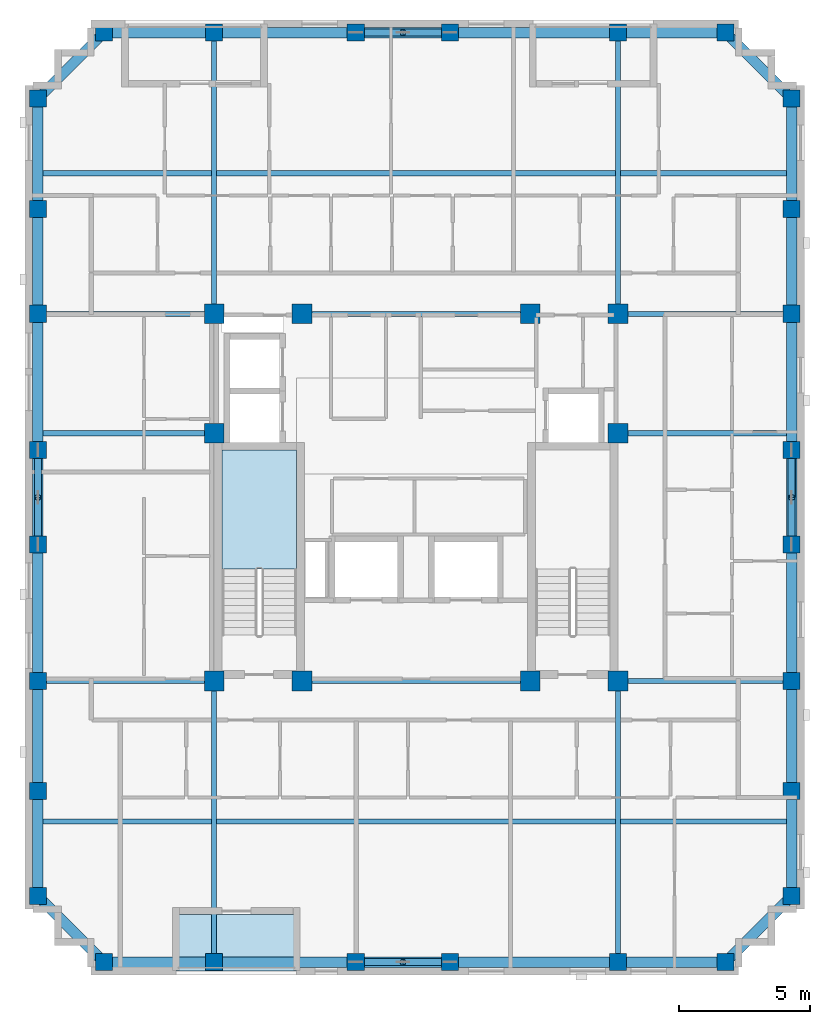
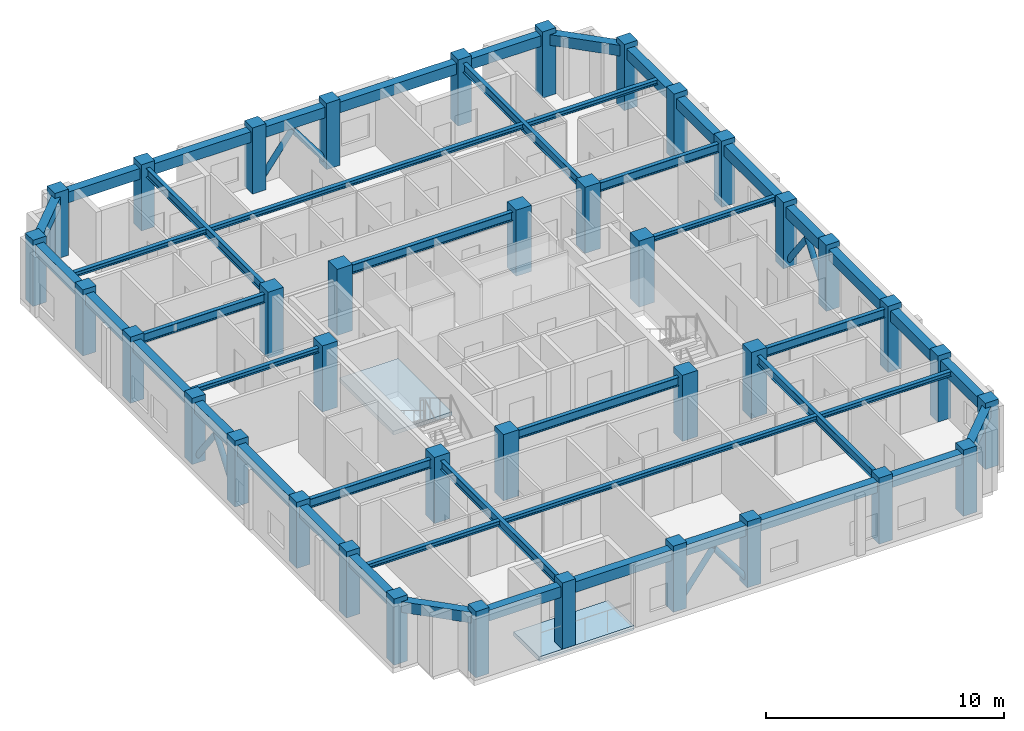
# One storey, part 1 of 11: 46 beams, 38 columns, 8 members, 2 slabs, 1 element without a shape of its own.
"""IFC4 building model written with IfcOpenShell, lengths in metres."""

from ifc_helpers import new_model, si_unit, derived_unit, direction, frame, origin, origin_2d, place, context, subcontext, project, spatial, polyline, rectangle, hollow_circle, i_section, outline, extrude, material, layer, layer_set, material_profile, profile_set, type_object, element, aggregate, save


model = new_model("IFC4")

# Units and contexts
model_context = context("Model", 3, precision=1e-05, world=origin(), true_north=direction((0.0, 1.0)))
body_context = subcontext(model_context, "Body", "Model", "MODEL_VIEW")
ifc_project = project(units=[si_unit("LENGTHUNIT", "METRE"), si_unit("AREAUNIT", "SQUARE_METRE"), si_unit("VOLUMEUNIT", "CUBIC_METRE"), si_unit("PLANEANGLEUNIT", "RADIAN"), si_unit("MASSUNIT", "GRAM", prefix="KILO"), derived_unit("THERMALTRANSMITTANCEUNIT", [(si_unit("MASSUNIT", "GRAM", prefix="KILO"), 1), (si_unit("TIMEUNIT", "SECOND"), -3), (si_unit("THERMODYNAMICTEMPERATUREUNIT", "KELVIN"), -1)])], contexts=[model_context])

# Site, building, storey
site_placement = place(None, origin())
site = spatial("IfcSite", under=ifc_project, at=site_placement, CompositionType="ELEMENT")
building_placement = place(site_placement, origin())
building = spatial("IfcBuilding", under=site, at=building_placement, Name="Korrvale Station Residences", CompositionType="ELEMENT")
storey_placement = place(building_placement, frame((0.0, 0.0, 254.699951171875)))
storey = spatial("IfcBuildingStorey", under=building, at=storey_placement, Name="L74", CompositionType="ELEMENT", Elevation=254.699951171875)

# Columns
ifc_material_1 = material(Name="Concrete C50/60", Category="concrete")
ifc_material_profile_1 = material_profile(ifc_material_1, rectangle(XDim=0.64990234375, YDim=0.64990234375, at=origin_2d()), Name="RC650x650")
ifc_profile_set_1 = profile_set([ifc_material_profile_1], Name="Concrete C50/60")
column_type_1 = type_object("IfcColumnType", Name="COL-C-RC650x650-C5060", PredefinedType="COLUMN", material=ifc_profile_set_1)
for number, where, z_axis, x_axis, name in (
    (1, (13.60009765625, 4.280029296875, 0.0), (0.0, 0.0, 1.0), (1.0, 0.0, 0.0), "L74 Bundled-Tube South Column 01"),
    (2, (17.800048828125, 4.280029296875, 0.0), (0.0, 0.0, 1.0), (1.0, 0.0, 0.0), "L74 Bundled-Tube South Column 02"),
    (3, (23.199951171875, 4.280029296875, 0.0), (0.0, 0.0, 1.0), (1.0, 0.0, 0.0), "L74 Bundled-Tube South Column 03"),
    (4, (26.800048828125, 4.280029296875, 0.0), (0.0, 0.0, 1.0), (1.0, 0.0, 0.0), "L74 Bundled-Tube South Column 04"),
    (5, (33.199951171875, 4.280029296875, 0.0), (0.0, 0.0, 1.0), (1.0, 0.0, 0.0), "L74 Bundled-Tube South Column 05"),
    (6, (37.300048828125, 4.280029296875, 0.0), (0.0, 0.0, 1.0), (1.0, 0.0, 0.0), "L74 Bundled-Tube South Column 06"),
    (7, (13.60009765625, 39.719970703125, 0.0), (0.0, 0.0, 1.0), (1.0, 0.0, 0.0), "L74 Bundled-Tube North Column 07"),
    (8, (17.800048828125, 39.719970703125, 0.0), (0.0, 0.0, 1.0), (1.0, 0.0, 0.0), "L74 Bundled-Tube North Column 08"),
    (9, (23.199951171875, 39.719970703125, 0.0), (0.0, 0.0, 1.0), (1.0, 0.0, 0.0), "L74 Bundled-Tube North Column 09"),
    (10, (26.800048828125, 39.719970703125, 0.0), (0.0, 0.0, 1.0), (1.0, 0.0, 0.0), "L74 Bundled-Tube North Column 10"),
    (11, (33.199951171875, 39.719970703125, 0.0), (0.0, 0.0, 1.0), (1.0, 0.0, 0.0), "L74 Bundled-Tube North Column 11"),
    (12, (37.300048828125, 39.719970703125, 0.0), (0.0, 0.0, 1.0), (1.0, 0.0, 0.0), "L74 Bundled-Tube North Column 12"),
    (13, (11.080078125, 6.800048828125, 0.0), (0.0, 0.0, 1.0), (1.0, 0.0, 0.0), "L74 Bundled-Tube West Column 13"),
    (14, (11.080078125, 10.800048828125, 0.0), (0.0, 0.0, 1.0), (1.0, 0.0, 0.0), "L74 Bundled-Tube West Column 14"),
    (15, (11.080078125, 15.0, 0.0), (0.0, 0.0, 1.0), (1.0, 0.0, 0.0), "L74 Bundled-Tube West Column 15"),
    (16, (11.080078125, 20.199951171875, 0.0), (0.0, 0.0, 1.0), (1.0, 0.0, 0.0), "L74 Bundled-Tube West Column 16"),
    (17, (11.080078125, 23.800048828125, 0.0), (0.0, 0.0, 1.0), (1.0, 0.0, 0.0), "L74 Bundled-Tube West Column 17"),
    (18, (11.080078125, 29.0, 0.0), (0.0, 0.0, 1.0), (1.0, 0.0, 0.0), "L74 Bundled-Tube West Column 18"),
    (19, (11.080078125, 33.0, 0.0), (0.0, 0.0, 1.0), (1.0, 0.0, 0.0), "L74 Bundled-Tube West Column 19"),
    (20, (11.080078125, 37.199951171875, 0.0), (0.0, 0.0, 1.0), (1.0, 0.0, 0.0), "L74 Bundled-Tube West Column 20"),
    (21, (39.820068359375, 6.800048828125, 0.0), (0.0, 0.0, 1.0), (1.0, 0.0, 0.0), "L74 Bundled-Tube East Column 21"),
    (22, (39.820068359375, 10.800048828125, 0.0), (0.0, 0.0, 1.0), (1.0, 0.0, 0.0), "L74 Bundled-Tube East Column 22"),
    (23, (39.820068359375, 15.0, 0.0), (0.0, 0.0, 1.0), (1.0, 0.0, 0.0), "L74 Bundled-Tube East Column 23"),
    (24, (39.820068359375, 20.199951171875, 0.0), (0.0, 0.0, 1.0), (1.0, 0.0, 0.0), "L74 Bundled-Tube East Column 24"),
    (25, (39.820068359375, 23.800048828125, 0.0), (0.0, 0.0, 1.0), (1.0, 0.0, 0.0), "L74 Bundled-Tube East Column 25"),
    (26, (39.820068359375, 29.0, 0.0), (0.0, 0.0, 1.0), (1.0, 0.0, 0.0), "L74 Bundled-Tube East Column 26"),
    (27, (39.820068359375, 33.0, 0.0), (0.0, 0.0, 1.0), (1.0, 0.0, 0.0), "L74 Bundled-Tube East Column 27"),
    (28, (39.820068359375, 37.199951171875, 0.0), (0.0, 0.0, 1.0), (1.0, 0.0, 0.0), "L74 Bundled-Tube East Column 28"),
):
    element("IfcColumn", number, at=place(storey_placement, frame(where, z_axis=z_axis, x_axis=x_axis)), inside=storey, type_object=column_type_1, Name=name, PredefinedType="COLUMN", context=body_context, shape_type="SweptSolid", body=[
        extrude(rectangle(XDim=0.64990234375, YDim=0.64990234375, at=origin_2d()), origin(), (0.0, 0.0, 1.0), 3.400146484375),
    ])
ifc_material_profile_2 = material_profile(ifc_material_1, rectangle(XDim=0.75, YDim=0.75, at=origin_2d()), Name="RC750x750")
ifc_profile_set_2 = profile_set([ifc_material_profile_2], Name="Concrete C50/60")
column_type_2 = type_object("IfcColumnType", Name="COL-C-RC750x750-C5060", PredefinedType="COLUMN", material=ifc_profile_set_2)
for number, where, z_axis, x_axis, name in (
    (29, (17.800048828125, 15.0, 0.0), (0.0, 0.0, 1.0), (1.0, 0.0, 0.0), "L74 Core Column 01"),
    (30, (21.14990234375, 15.0, 0.0), (0.0, 0.0, 1.0), (1.0, 0.0, 0.0), "L74 Core Column 02"),
    (31, (29.85009765625, 15.0, 0.0), (0.0, 0.0, 1.0), (1.0, 0.0, 0.0), "L74 Core Column 03"),
    (32, (33.199951171875, 15.0, 0.0), (0.0, 0.0, 1.0), (1.0, 0.0, 0.0), "L74 Core Column 04"),
    (33, (17.800048828125, 29.0, 0.0), (0.0, 0.0, 1.0), (1.0, 0.0, 0.0), "L74 Core Column 05"),
    (34, (21.14990234375, 29.0, 0.0), (0.0, 0.0, 1.0), (1.0, 0.0, 0.0), "L74 Core Column 06"),
    (35, (29.85009765625, 29.0, 0.0), (0.0, 0.0, 1.0), (1.0, 0.0, 0.0), "L74 Core Column 07"),
    (36, (33.199951171875, 29.0, 0.0), (0.0, 0.0, 1.0), (1.0, 0.0, 0.0), "L74 Core Column 08"),
    (37, (17.800048828125, 24.449951171875, 0.0), (0.0, 0.0, 1.0), (1.0, 0.0, 0.0), "L74 Core Column 09"),
    (38, (33.199951171875, 24.449951171875, 0.0), (0.0, 0.0, 1.0), (1.0, 0.0, 0.0), "L74 Core Column 10"),
):
    element("IfcColumn", number, at=place(storey_placement, frame(where, z_axis=z_axis, x_axis=x_axis)), inside=storey, type_object=column_type_2, Name=name, PredefinedType="COLUMN", context=body_context, shape_type="SweptSolid", body=[
        extrude(rectangle(XDim=0.75, YDim=0.75, at=origin_2d()), origin(), (0.0, 0.0, 1.0), 3.400146484375),
    ])

# Beams
ifc_material_2 = material(Name="Steel S355", Category="steel")
ifc_material_profile_3 = material_profile(ifc_material_2, i_section(OverallWidth=0.18994140625, OverallDepth=0.45703125, WebThickness=0.009033203125, FlangeThickness=0.014404296875, FilletRadius=0.01611328125, at=origin_2d()), Name="W460x74")
ifc_profile_set_3 = profile_set([ifc_material_profile_3], Name="Steel S355")
beam_type_1 = type_object("IfcBeamType", Name="BM-BM-W460x74-S355", PredefinedType="BEAM", material=ifc_profile_set_3)
for number, where, z_axis, x_axis, name in (
    (39, (17.800048828125, 4.280029296875, 2.91162109375), (0.0, 1.0, 0.0), (-1.0, 0.0, 0.0), "L74 Bundled-Tube Web Girder 01"),
    (40, (33.199951171875, 4.280029296875, 2.91162109375), (0.0, 1.0, 0.0), (-1.0, 0.0, 0.0), "L74 Bundled-Tube Web Girder 02"),
    (41, (17.800048828125, 29.0, 2.91162109375), (0.0, 1.0, 0.0), (-1.0, 0.0, 0.0), "L74 Bundled-Tube Web Girder 03"),
    (42, (33.199951171875, 29.0, 2.91162109375), (0.0, 1.0, 0.0), (-1.0, 0.0, 0.0), "L74 Bundled-Tube Web Girder 04"),
):
    element("IfcBeam", number, at=place(storey_placement, frame(where, z_axis=z_axis, x_axis=x_axis)), inside=storey, type_object=beam_type_1, Name=name, PredefinedType="BEAM", context=body_context, shape_type="SweptSolid", body=[
        extrude(i_section(OverallWidth=0.18994140625, OverallDepth=0.45703125, WebThickness=0.009033203125, FlangeThickness=0.014404296875, FilletRadius=0.01611328125, at=origin_2d()), origin(), (0.0, 0.0, 1.0), 10.719970703125),
    ])
beam_1_placement = place(storey_placement, frame((11.080078125, 15.0, 2.91162109375), z_axis=(1.0, 0.0, 0.0), x_axis=(0.0, 1.0, 0.0)))
element("IfcBeam", 43, at=beam_1_placement, inside=storey, type_object=beam_type_1, Name="L74 Bundled-Tube Web Girder 05", PredefinedType="BEAM", context=body_context, shape_type="SweptSolid", body=[
    extrude(i_section(OverallWidth=0.18994140625, OverallDepth=0.45703125, WebThickness=0.009033203125, FlangeThickness=0.014404296875, FilletRadius=0.01611328125, at=origin_2d()), origin(), (0.0, 0.0, 1.0), 6.719970703125),
])
beam_2_placement = place(storey_placement, frame((33.199951171875, 15.0, 2.91162109375), z_axis=(1.0, 0.0, 0.0), x_axis=(0.0, 1.0, 0.0)))
element("IfcBeam", 44, at=beam_2_placement, inside=storey, type_object=beam_type_1, Name="L74 Bundled-Tube Web Girder 06", PredefinedType="BEAM", context=body_context, shape_type="SweptSolid", body=[
    extrude(i_section(OverallWidth=0.18994140625, OverallDepth=0.45703125, WebThickness=0.009033203125, FlangeThickness=0.014404296875, FilletRadius=0.01611328125, at=origin_2d()), origin(), (0.0, 0.0, 1.0), 6.6201171875),
])
beam_3_placement = place(storey_placement, frame((11.080078125, 29.0, 2.91162109375), z_axis=(1.0, 0.0, 0.0), x_axis=(0.0, 1.0, 0.0)))
element("IfcBeam", 45, at=beam_3_placement, inside=storey, type_object=beam_type_1, Name="L74 Bundled-Tube Web Girder 07", PredefinedType="BEAM", context=body_context, shape_type="SweptSolid", body=[
    extrude(i_section(OverallWidth=0.18994140625, OverallDepth=0.45703125, WebThickness=0.009033203125, FlangeThickness=0.014404296875, FilletRadius=0.01611328125, at=origin_2d()), origin(), (0.0, 0.0, 1.0), 6.719970703125),
])
beam_4_placement = place(storey_placement, frame((33.199951171875, 29.0, 2.91162109375), z_axis=(1.0, 0.0, 0.0), x_axis=(0.0, 1.0, 0.0)))
element("IfcBeam", 46, at=beam_4_placement, inside=storey, type_object=beam_type_1, Name="L74 Bundled-Tube Web Girder 08", PredefinedType="BEAM", context=body_context, shape_type="SweptSolid", body=[
    extrude(i_section(OverallWidth=0.18994140625, OverallDepth=0.45703125, WebThickness=0.009033203125, FlangeThickness=0.014404296875, FilletRadius=0.01611328125, at=origin_2d()), origin(), (0.0, 0.0, 1.0), 6.6201171875),
])
for number, where, z_axis, x_axis, name in (
    (47, (21.14990234375, 15.0, 2.91162109375), (1.0, 0.0, 0.0), (0.0, 1.0, 0.0), "L74 Bundled-Tube Web Girder 09"),
    (48, (21.14990234375, 29.0, 2.91162109375), (1.0, 0.0, 0.0), (0.0, 1.0, 0.0), "L74 Bundled-Tube Web Girder 10"),
):
    element("IfcBeam", number, at=place(storey_placement, frame(where, z_axis=z_axis, x_axis=x_axis)), inside=storey, type_object=beam_type_1, Name=name, PredefinedType="BEAM", context=body_context, shape_type="SweptSolid", body=[
        extrude(i_section(OverallWidth=0.18994140625, OverallDepth=0.45703125, WebThickness=0.009033203125, FlangeThickness=0.014404296875, FilletRadius=0.01611328125, at=origin_2d()), origin(), (0.0, 0.0, 1.0), 8.7001953125),
    ])
ifc_material_profile_4 = material_profile(ifc_material_2, i_section(OverallWidth=0.201904296875, OverallDepth=0.2470703125, WebThickness=0.00732421875, FlangeThickness=0.010986328125, FilletRadius=0.012939453125, at=origin_2d()), Name="W250x49")
ifc_profile_set_4 = profile_set([ifc_material_profile_4], Name="Steel S355")
beam_type_2 = type_object("IfcBeamType", Name="BM-JST-W250x49-S355", PredefinedType="JOIST", material=ifc_profile_set_4)
beam_5_placement = place(storey_placement, frame((11.280029296875, 9.639892578125, 3.0166015625), z_axis=(1.0, 0.0, 0.0), x_axis=(0.0, 1.0, 0.0)))
element("IfcBeam", 49, at=beam_5_placement, inside=storey, type_object=beam_type_2, Name="L74 Floor Framing Joist 01", PredefinedType="JOIST", context=body_context, shape_type="SweptSolid", body=[
    extrude(i_section(OverallWidth=0.201904296875, OverallDepth=0.2470703125, WebThickness=0.00732421875, FlangeThickness=0.010986328125, FilletRadius=0.012939453125, at=origin_2d()), origin(), (0.0, 0.0, 1.0), 6.425048828125),
])
beam_6_placement = place(storey_placement, frame((17.89501953125, 9.639892578125, 3.0166015625), z_axis=(1.0, 0.0, 0.0), x_axis=(0.0, 1.0, 0.0)))
element("IfcBeam", 50, at=beam_6_placement, inside=storey, type_object=beam_type_2, Name="L74 Floor Framing Joist 02", PredefinedType="JOIST", context=body_context, shape_type="SweptSolid", body=[
    extrude(i_section(OverallWidth=0.201904296875, OverallDepth=0.2470703125, WebThickness=0.00732421875, FlangeThickness=0.010986328125, FilletRadius=0.012939453125, at=origin_2d()), origin(), (0.0, 0.0, 1.0), 15.2099609375),
])
beam_7_placement = place(storey_placement, frame((33.294921875, 9.639892578125, 3.0166015625), z_axis=(1.0, 0.0, 0.0), x_axis=(0.0, 1.0, 0.0)))
element("IfcBeam", 51, at=beam_7_placement, inside=storey, type_object=beam_type_2, Name="L74 Floor Framing Joist 03", PredefinedType="JOIST", context=body_context, shape_type="SweptSolid", body=[
    extrude(i_section(OverallWidth=0.201904296875, OverallDepth=0.2470703125, WebThickness=0.00732421875, FlangeThickness=0.010986328125, FilletRadius=0.012939453125, at=origin_2d()), origin(), (0.0, 0.0, 1.0), 6.3251953125),
])
beam_8_placement = place(storey_placement, frame((11.280029296875, 34.360107421875, 3.0166015625), z_axis=(1.0, 0.0, 0.0), x_axis=(0.0, 1.0, 0.0)))
element("IfcBeam", 52, at=beam_8_placement, inside=storey, type_object=beam_type_2, Name="L74 Floor Framing Joist 04", PredefinedType="JOIST", context=body_context, shape_type="SweptSolid", body=[
    extrude(i_section(OverallWidth=0.201904296875, OverallDepth=0.2470703125, WebThickness=0.00732421875, FlangeThickness=0.010986328125, FilletRadius=0.012939453125, at=origin_2d()), origin(), (0.0, 0.0, 1.0), 6.425048828125),
])
beam_9_placement = place(storey_placement, frame((17.89501953125, 34.360107421875, 3.0166015625), z_axis=(1.0, 0.0, 0.0), x_axis=(0.0, 1.0, 0.0)))
element("IfcBeam", 53, at=beam_9_placement, inside=storey, type_object=beam_type_2, Name="L74 Floor Framing Joist 05", PredefinedType="JOIST", context=body_context, shape_type="SweptSolid", body=[
    extrude(i_section(OverallWidth=0.201904296875, OverallDepth=0.2470703125, WebThickness=0.00732421875, FlangeThickness=0.010986328125, FilletRadius=0.012939453125, at=origin_2d()), origin(), (0.0, 0.0, 1.0), 15.2099609375),
])
beam_10_placement = place(storey_placement, frame((33.294921875, 34.360107421875, 3.0166015625), z_axis=(1.0, 0.0, 0.0), x_axis=(0.0, 1.0, 0.0)))
element("IfcBeam", 54, at=beam_10_placement, inside=storey, type_object=beam_type_2, Name="L74 Floor Framing Joist 06", PredefinedType="JOIST", context=body_context, shape_type="SweptSolid", body=[
    extrude(i_section(OverallWidth=0.201904296875, OverallDepth=0.2470703125, WebThickness=0.00732421875, FlangeThickness=0.010986328125, FilletRadius=0.012939453125, at=origin_2d()), origin(), (0.0, 0.0, 1.0), 6.3251953125),
])
beam_11_placement = place(storey_placement, frame((33.199951171875, 24.449951171875, 3.0166015625), z_axis=(1.0, 0.0, 0.0), x_axis=(0.0, 1.0, 0.0)))
element("IfcBeam", 55, at=beam_11_placement, inside=storey, type_object=beam_type_2, Name="L74 Floor Framing Joist 07", PredefinedType="JOIST", context=body_context, shape_type="SweptSolid", body=[
    extrude(i_section(OverallWidth=0.201904296875, OverallDepth=0.2470703125, WebThickness=0.00732421875, FlangeThickness=0.010986328125, FilletRadius=0.012939453125, at=origin_2d()), origin(), (0.0, 0.0, 1.0), 6.420166015625),
])
beam_12_placement = place(storey_placement, frame((11.280029296875, 24.449951171875, 3.0166015625), z_axis=(1.0, 0.0, 0.0), x_axis=(0.0, 1.0, 0.0)))
element("IfcBeam", 56, at=beam_12_placement, inside=storey, type_object=beam_type_2, Name="L74 Floor Framing Joist 08", PredefinedType="JOIST", context=body_context, shape_type="SweptSolid", body=[
    extrude(i_section(OverallWidth=0.201904296875, OverallDepth=0.2470703125, WebThickness=0.00732421875, FlangeThickness=0.010986328125, FilletRadius=0.012939453125, at=origin_2d()), origin(), (0.0, 0.0, 1.0), 6.52001953125),
])
ifc_material_profile_5 = material_profile(ifc_material_1, rectangle(XDim=0.39990234375, YDim=0.550048828125, at=origin_2d()), Name="RCB400x550")
ifc_profile_set_5 = profile_set([ifc_material_profile_5], Name="Concrete C50/60")
beam_type_3 = type_object("IfcBeamType", Name="BM-SPB-RCB400x550-C5060", PredefinedType="SPANDREL", material=ifc_profile_set_5)
beam_13_placement = place(storey_placement, frame((13.60009765625, 4.280029296875, 2.864990234375), z_axis=(1.0, 0.0, 0.0), x_axis=(0.0, 1.0, 0.0)))
element("IfcBeam", 57, at=beam_13_placement, inside=storey, type_object=beam_type_3, Name="L74 South Tube Spandrel 01", PredefinedType="SPANDREL", context=body_context, shape_type="SweptSolid", body=[
    extrude(rectangle(XDim=0.39990234375, YDim=0.550048828125, at=origin_2d()), origin(), (0.0, 0.0, 1.0), 4.199951171875),
])
beam_14_placement = place(storey_placement, frame((17.800048828125, 4.280029296875, 2.864990234375), z_axis=(1.0, 0.0, 0.0), x_axis=(0.0, 1.0, 0.0)))
element("IfcBeam", 58, at=beam_14_placement, inside=storey, type_object=beam_type_3, Name="L74 South Tube Spandrel 02", PredefinedType="SPANDREL", context=body_context, shape_type="SweptSolid", body=[
    extrude(rectangle(XDim=0.39990234375, YDim=0.550048828125, at=origin_2d()), origin(), (0.0, 0.0, 1.0), 5.39990234375),
])
beam_15_placement = place(storey_placement, frame((23.199951171875, 4.280029296875, 2.864990234375), z_axis=(1.0, 0.0, 0.0), x_axis=(0.0, 1.0, 0.0)))
element("IfcBeam", 59, at=beam_15_placement, inside=storey, type_object=beam_type_3, Name="L74 South Tube Spandrel 03", PredefinedType="SPANDREL", context=body_context, shape_type="SweptSolid", body=[
    extrude(rectangle(XDim=0.39990234375, YDim=0.550048828125, at=origin_2d()), origin(), (0.0, 0.0, 1.0), 3.60009765625),
])
beam_16_placement = place(storey_placement, frame((26.800048828125, 4.280029296875, 2.864990234375), z_axis=(1.0, 0.0, 0.0), x_axis=(0.0, 1.0, 0.0)))
element("IfcBeam", 60, at=beam_16_placement, inside=storey, type_object=beam_type_3, Name="L74 South Tube Spandrel 04", PredefinedType="SPANDREL", context=body_context, shape_type="SweptSolid", body=[
    extrude(rectangle(XDim=0.39990234375, YDim=0.550048828125, at=origin_2d()), origin(), (0.0, 0.0, 1.0), 6.39990234375),
])
beam_17_placement = place(storey_placement, frame((33.199951171875, 4.280029296875, 2.864990234375), z_axis=(1.0, 0.0, 0.0), x_axis=(0.0, 1.0, 0.0)))
element("IfcBeam", 61, at=beam_17_placement, inside=storey, type_object=beam_type_3, Name="L74 South Tube Spandrel 05", PredefinedType="SPANDREL", context=body_context, shape_type="SweptSolid", body=[
    extrude(rectangle(XDim=0.39990234375, YDim=0.550048828125, at=origin_2d()), origin(), (0.0, 0.0, 1.0), 4.10009765625),
])
beam_18_placement = place(storey_placement, frame((13.60009765625, 39.719970703125, 2.864990234375), z_axis=(1.0, 0.0, 0.0), x_axis=(0.0, 1.0, 0.0)))
element("IfcBeam", 62, at=beam_18_placement, inside=storey, type_object=beam_type_3, Name="L74 North Tube Spandrel 06", PredefinedType="SPANDREL", context=body_context, shape_type="SweptSolid", body=[
    extrude(rectangle(XDim=0.39990234375, YDim=0.550048828125, at=origin_2d()), origin(), (0.0, 0.0, 1.0), 4.199951171875),
])
beam_19_placement = place(storey_placement, frame((17.800048828125, 39.719970703125, 2.864990234375), z_axis=(1.0, 0.0, 0.0), x_axis=(0.0, 1.0, 0.0)))
element("IfcBeam", 63, at=beam_19_placement, inside=storey, type_object=beam_type_3, Name="L74 North Tube Spandrel 07", PredefinedType="SPANDREL", context=body_context, shape_type="SweptSolid", body=[
    extrude(rectangle(XDim=0.39990234375, YDim=0.550048828125, at=origin_2d()), origin(), (0.0, 0.0, 1.0), 5.39990234375),
])
beam_20_placement = place(storey_placement, frame((23.199951171875, 39.719970703125, 2.864990234375), z_axis=(1.0, 0.0, 0.0), x_axis=(0.0, 1.0, 0.0)))
element("IfcBeam", 64, at=beam_20_placement, inside=storey, type_object=beam_type_3, Name="L74 North Tube Spandrel 08", PredefinedType="SPANDREL", context=body_context, shape_type="SweptSolid", body=[
    extrude(rectangle(XDim=0.39990234375, YDim=0.550048828125, at=origin_2d()), origin(), (0.0, 0.0, 1.0), 3.60009765625),
])
beam_21_placement = place(storey_placement, frame((26.800048828125, 39.719970703125, 2.864990234375), z_axis=(1.0, 0.0, 0.0), x_axis=(0.0, 1.0, 0.0)))
element("IfcBeam", 65, at=beam_21_placement, inside=storey, type_object=beam_type_3, Name="L74 North Tube Spandrel 09", PredefinedType="SPANDREL", context=body_context, shape_type="SweptSolid", body=[
    extrude(rectangle(XDim=0.39990234375, YDim=0.550048828125, at=origin_2d()), origin(), (0.0, 0.0, 1.0), 6.39990234375),
])
beam_22_placement = place(storey_placement, frame((33.199951171875, 39.719970703125, 2.864990234375), z_axis=(1.0, 0.0, 0.0), x_axis=(0.0, 1.0, 0.0)))
element("IfcBeam", 66, at=beam_22_placement, inside=storey, type_object=beam_type_3, Name="L74 North Tube Spandrel 10", PredefinedType="SPANDREL", context=body_context, shape_type="SweptSolid", body=[
    extrude(rectangle(XDim=0.39990234375, YDim=0.550048828125, at=origin_2d()), origin(), (0.0, 0.0, 1.0), 4.10009765625),
])
beam_23_placement = place(storey_placement, frame((11.080078125, 6.800048828125, 2.864990234375), z_axis=(0.0, 1.0, 0.0), x_axis=(-1.0, 0.0, 0.0)))
element("IfcBeam", 67, at=beam_23_placement, inside=storey, type_object=beam_type_3, Name="L74 West Tube Spandrel 11", PredefinedType="SPANDREL", context=body_context, shape_type="SweptSolid", body=[
    extrude(rectangle(XDim=0.39990234375, YDim=0.550048828125, at=origin_2d()), origin(), (0.0, 0.0, 1.0), 4.0),
])
beam_24_placement = place(storey_placement, frame((11.080078125, 10.800048828125, 2.864990234375), z_axis=(0.0, 1.0, 0.0), x_axis=(-1.0, 0.0, 0.0)))
element("IfcBeam", 68, at=beam_24_placement, inside=storey, type_object=beam_type_3, Name="L74 West Tube Spandrel 12", PredefinedType="SPANDREL", context=body_context, shape_type="SweptSolid", body=[
    extrude(rectangle(XDim=0.39990234375, YDim=0.550048828125, at=origin_2d()), origin(), (0.0, 0.0, 1.0), 4.199951171875),
])
beam_25_placement = place(storey_placement, frame((11.080078125, 15.0, 2.864990234375), z_axis=(0.0, 1.0, 0.0), x_axis=(-1.0, 0.0, 0.0)))
element("IfcBeam", 69, at=beam_25_placement, inside=storey, type_object=beam_type_3, Name="L74 West Tube Spandrel 13", PredefinedType="SPANDREL", context=body_context, shape_type="SweptSolid", body=[
    extrude(rectangle(XDim=0.39990234375, YDim=0.550048828125, at=origin_2d()), origin(), (0.0, 0.0, 1.0), 5.199951171875),
])
beam_26_placement = place(storey_placement, frame((11.080078125, 20.199951171875, 2.864990234375), z_axis=(0.0, 1.0, 0.0), x_axis=(-1.0, 0.0, 0.0)))
element("IfcBeam", 70, at=beam_26_placement, inside=storey, type_object=beam_type_3, Name="L74 West Tube Spandrel 14", PredefinedType="SPANDREL", context=body_context, shape_type="SweptSolid", body=[
    extrude(rectangle(XDim=0.39990234375, YDim=0.550048828125, at=origin_2d()), origin(), (0.0, 0.0, 1.0), 3.60009765625),
])
beam_27_placement = place(storey_placement, frame((11.080078125, 23.800048828125, 2.864990234375), z_axis=(0.0, 1.0, 0.0), x_axis=(-1.0, 0.0, 0.0)))
element("IfcBeam", 71, at=beam_27_placement, inside=storey, type_object=beam_type_3, Name="L74 West Tube Spandrel 15", PredefinedType="SPANDREL", context=body_context, shape_type="SweptSolid", body=[
    extrude(rectangle(XDim=0.39990234375, YDim=0.550048828125, at=origin_2d()), origin(), (0.0, 0.0, 1.0), 5.199951171875),
])
beam_28_placement = place(storey_placement, frame((11.080078125, 29.0, 2.864990234375), z_axis=(0.0, 1.0, 0.0), x_axis=(-1.0, 0.0, 0.0)))
element("IfcBeam", 72, at=beam_28_placement, inside=storey, type_object=beam_type_3, Name="L74 West Tube Spandrel 16", PredefinedType="SPANDREL", context=body_context, shape_type="SweptSolid", body=[
    extrude(rectangle(XDim=0.39990234375, YDim=0.550048828125, at=origin_2d()), origin(), (0.0, 0.0, 1.0), 4.0),
])
beam_29_placement = place(storey_placement, frame((11.080078125, 33.0, 2.864990234375), z_axis=(0.0, 1.0, 0.0), x_axis=(-1.0, 0.0, 0.0)))
element("IfcBeam", 73, at=beam_29_placement, inside=storey, type_object=beam_type_3, Name="L74 West Tube Spandrel 17", PredefinedType="SPANDREL", context=body_context, shape_type="SweptSolid", body=[
    extrude(rectangle(XDim=0.39990234375, YDim=0.550048828125, at=origin_2d()), origin(), (0.0, 0.0, 1.0), 4.199951171875),
])
beam_30_placement = place(storey_placement, frame((39.820068359375, 6.800048828125, 2.864990234375), z_axis=(0.0, 1.0, 0.0), x_axis=(-1.0, 0.0, 0.0)))
element("IfcBeam", 74, at=beam_30_placement, inside=storey, type_object=beam_type_3, Name="L74 East Tube Spandrel 18", PredefinedType="SPANDREL", context=body_context, shape_type="SweptSolid", body=[
    extrude(rectangle(XDim=0.39990234375, YDim=0.550048828125, at=origin_2d()), origin(), (0.0, 0.0, 1.0), 4.0),
])
beam_31_placement = place(storey_placement, frame((39.820068359375, 10.800048828125, 2.864990234375), z_axis=(0.0, 1.0, 0.0), x_axis=(-1.0, 0.0, 0.0)))
element("IfcBeam", 75, at=beam_31_placement, inside=storey, type_object=beam_type_3, Name="L74 East Tube Spandrel 19", PredefinedType="SPANDREL", context=body_context, shape_type="SweptSolid", body=[
    extrude(rectangle(XDim=0.39990234375, YDim=0.550048828125, at=origin_2d()), origin(), (0.0, 0.0, 1.0), 4.199951171875),
])
beam_32_placement = place(storey_placement, frame((39.820068359375, 15.0, 2.864990234375), z_axis=(0.0, 1.0, 0.0), x_axis=(-1.0, 0.0, 0.0)))
element("IfcBeam", 76, at=beam_32_placement, inside=storey, type_object=beam_type_3, Name="L74 East Tube Spandrel 20", PredefinedType="SPANDREL", context=body_context, shape_type="SweptSolid", body=[
    extrude(rectangle(XDim=0.39990234375, YDim=0.550048828125, at=origin_2d()), origin(), (0.0, 0.0, 1.0), 5.199951171875),
])
beam_33_placement = place(storey_placement, frame((39.820068359375, 20.199951171875, 2.864990234375), z_axis=(0.0, 1.0, 0.0), x_axis=(-1.0, 0.0, 0.0)))
element("IfcBeam", 77, at=beam_33_placement, inside=storey, type_object=beam_type_3, Name="L74 East Tube Spandrel 21", PredefinedType="SPANDREL", context=body_context, shape_type="SweptSolid", body=[
    extrude(rectangle(XDim=0.39990234375, YDim=0.550048828125, at=origin_2d()), origin(), (0.0, 0.0, 1.0), 3.60009765625),
])
beam_34_placement = place(storey_placement, frame((39.820068359375, 23.800048828125, 2.864990234375), z_axis=(0.0, 1.0, 0.0), x_axis=(-1.0, 0.0, 0.0)))
element("IfcBeam", 78, at=beam_34_placement, inside=storey, type_object=beam_type_3, Name="L74 East Tube Spandrel 22", PredefinedType="SPANDREL", context=body_context, shape_type="SweptSolid", body=[
    extrude(rectangle(XDim=0.39990234375, YDim=0.550048828125, at=origin_2d()), origin(), (0.0, 0.0, 1.0), 5.199951171875),
])
beam_35_placement = place(storey_placement, frame((39.820068359375, 29.0, 2.864990234375), z_axis=(0.0, 1.0, 0.0), x_axis=(-1.0, 0.0, 0.0)))
element("IfcBeam", 79, at=beam_35_placement, inside=storey, type_object=beam_type_3, Name="L74 East Tube Spandrel 23", PredefinedType="SPANDREL", context=body_context, shape_type="SweptSolid", body=[
    extrude(rectangle(XDim=0.39990234375, YDim=0.550048828125, at=origin_2d()), origin(), (0.0, 0.0, 1.0), 4.0),
])
beam_36_placement = place(storey_placement, frame((39.820068359375, 33.0, 2.864990234375), z_axis=(0.0, 1.0, 0.0), x_axis=(-1.0, 0.0, 0.0)))
element("IfcBeam", 80, at=beam_36_placement, inside=storey, type_object=beam_type_3, Name="L74 East Tube Spandrel 24", PredefinedType="SPANDREL", context=body_context, shape_type="SweptSolid", body=[
    extrude(rectangle(XDim=0.39990234375, YDim=0.550048828125, at=origin_2d()), origin(), (0.0, 0.0, 1.0), 4.199951171875),
])
for number, where, z_axis, x_axis, name in (
    (81, (13.60009765625, 4.280029296875, 2.864990234375), (-0.707106781187, 0.707106781187, 0.0), (-0.707106781187, -0.707106781187, 0.0), "L74 Serrated Corner Spandrel 25"),
    (82, (37.300048828125, 4.280029296875, 2.864990234375), (0.707106781187, 0.707106781187, 0.0), (-0.707106781187, 0.707106781187, 0.0), "L74 Serrated Corner Spandrel 26"),
    (83, (37.300048828125, 39.719970703125, 2.864990234375), (0.707106781187, -0.707106781187, 0.0), (0.707106781187, 0.707106781187, 0.0), "L74 Serrated Corner Spandrel 27"),
    (84, (13.60009765625, 39.719970703125, 2.864990234375), (-0.707106781187, -0.707106781187, 0.0), (0.707106781187, -0.707106781187, 0.0), "L74 Serrated Corner Spandrel 28"),
):
    element("IfcBeam", number, at=place(storey_placement, frame(where, z_axis=z_axis, x_axis=x_axis)), inside=storey, type_object=beam_type_3, Name=name, PredefinedType="SPANDREL", context=body_context, shape_type="SweptSolid", body=[
        extrude(rectangle(XDim=0.39990234375, YDim=0.550048828125, at=origin_2d()), origin(), (0.0, 0.0, 1.0), 3.56396484375),
    ])

# Members
ifc_material_profile_6 = material_profile(ifc_material_2, hollow_circle(Radius=0.136474609375, WallThickness=0.015869140625, at=origin_2d()), Name="HSS273x16")
ifc_profile_set_6 = profile_set([ifc_material_profile_6], Name="Steel S355")
member_type = type_object("IfcMemberType", Name="MBR-BR-HSS273x16", PredefinedType="BRACE", material=ifc_profile_set_6)
for number, where, z_axis, x_axis, name in (
    (85, (23.199951171875, 4.280029296875, 0.02001953125), (0.601591523035, 0.0, 0.798803880444), (0.0, 1.0, 0.0), "L74 S Perimeter Tube Wind Brace 1"),
    (86, (26.800048828125, 4.280029296875, 0.02001953125), (-0.601591523035, 0.0, 0.798803880444), (0.0, -1.0, 0.0), "L74 S Perimeter Tube Wind Brace 2"),
    (87, (23.199951171875, 39.719970703125, 0.02001953125), (0.601591523035, 0.0, 0.798803880444), (0.0, 1.0, 0.0), "L74 N Perimeter Tube Wind Brace 1"),
    (88, (26.800048828125, 39.719970703125, 0.02001953125), (-0.601591523035, 0.0, 0.798803880444), (0.0, -1.0, 0.0), "L74 N Perimeter Tube Wind Brace 2"),
    (89, (11.080078125, 20.199951171875, 0.02001953125), (0.0, 0.601591523035, 0.798803880444), (-1.0, 0.0, 0.0), "L74 W Perimeter Tube Wind Brace 1"),
    (90, (11.080078125, 23.800048828125, 0.02001953125), (0.0, -0.601591523035, 0.798803880444), (1.0, 0.0, 0.0), "L74 W Perimeter Tube Wind Brace 2"),
    (91, (39.820068359375, 20.199951171875, 0.02001953125), (0.0, 0.601591523035, 0.798803880444), (-1.0, 0.0, 0.0), "L74 E Perimeter Tube Wind Brace 1"),
    (92, (39.820068359375, 23.800048828125, 0.02001953125), (0.0, -0.601591523035, 0.798803880444), (1.0, 0.0, 0.0), "L74 E Perimeter Tube Wind Brace 2"),
):
    element("IfcMember", number, at=place(storey_placement, frame(where, z_axis=z_axis, x_axis=x_axis)), inside=storey, type_object=member_type, Name=name, PredefinedType="BRACE", context=body_context, shape_type="SweptSolid", body=[
        extrude(hollow_circle(Radius=0.136474609375, WallThickness=0.015869140625, at=origin_2d()), origin(), (0.0, 0.0, 1.0), 2.9921875),
    ])

# Slab
ifc_layer_1 = layer(ifc_material_1, 0.219970703125, Name="Concrete C50/60")
ifc_layer_set_1 = layer_set([ifc_layer_1], Name="Concrete C50/60")
slab_type_1 = type_object("IfcSlabType", Name="SLB-BAL-220", PredefinedType="FLOOR", material=ifc_layer_set_1)
slab_1_placement = place(storey_placement, frame((0.0, 0.0, -0.219970703125)))
element("IfcSlab", 93, at=slab_1_placement, inside=storey, type_object=slab_type_1, Name="L74 Recessed Loggia Balcony Slab BAL-L74-S1", PredefinedType="FLOOR", context=body_context, shape_type="SweptSolid", body=[
    extrude(outline(polyline([(16.35009765625, 3.949951171875), (20.949951171875, 3.949951171875), (20.949951171875, 6.10009765625), (16.35009765625, 6.10009765625), (16.35009765625, 3.949951171875)])), origin(), (0.0, 0.0, 1.0), 0.219970703125),
])

# Stair, slab
stair_type = type_object("IfcStairType", Name="STR-DL-1350-20R-1700", PredefinedType="HALF_TURN_STAIR", material=ifc_material_1)
stair_placement = place(storey_placement, origin())
stair = element("IfcStair", 94, at=stair_placement, inside=storey, type_object=stair_type, Name="L74 Exit Stair 1", PredefinedType="HALF_TURN_STAIR")
ifc_layer_2 = layer(ifc_material_1, 0.199951171875, Name="Concrete C50/60")
ifc_layer_set_2 = layer_set([ifc_layer_2], Name="Concrete C50/60")
slab_type_2 = type_object("IfcSlabType", Name="SLB-LND-200", PredefinedType="LANDING", material=ifc_layer_set_2)
slab_2_placement = place(storey_placement, frame((0.0, 0.0, 1.5)))
slab_2 = element("IfcSlab", 95, at=slab_2_placement, type_object=slab_type_2, Name="ST-1 landing 1", PredefinedType="LANDING", context=body_context, shape_type="SweptSolid", body=[
    extrude(outline(polyline([(20.949951171875, 19.27001953125), (20.949951171875, 23.800048828125), (18.10009765625, 23.800048828125), (18.10009765625, 19.27001953125), (20.949951171875, 19.27001953125)])), origin(), (0.0, 0.0, 1.0), 0.199951171875),
])
aggregate(stair, [slab_2])

save(model, "model.ifc")
